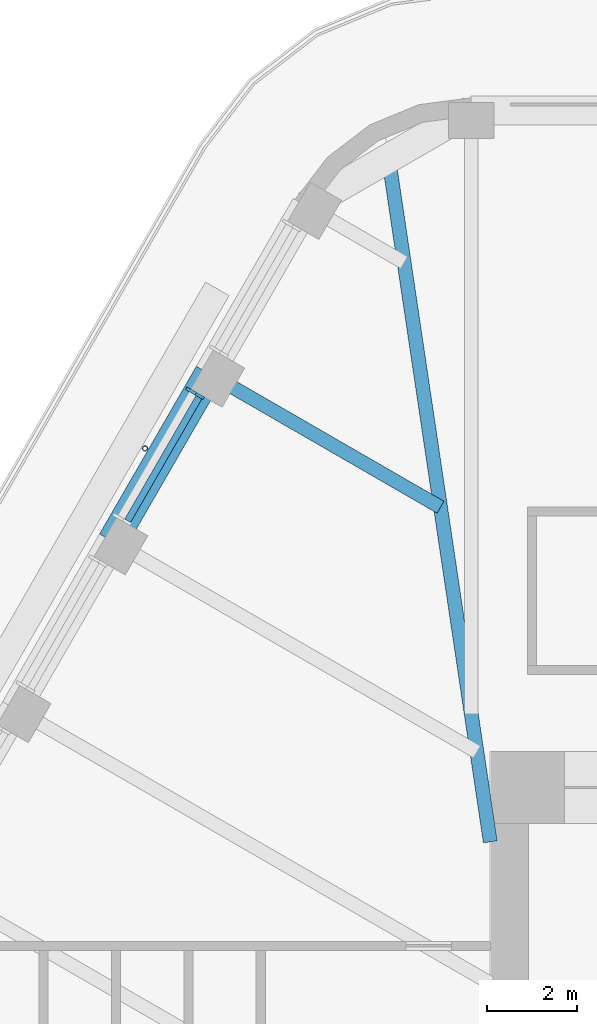
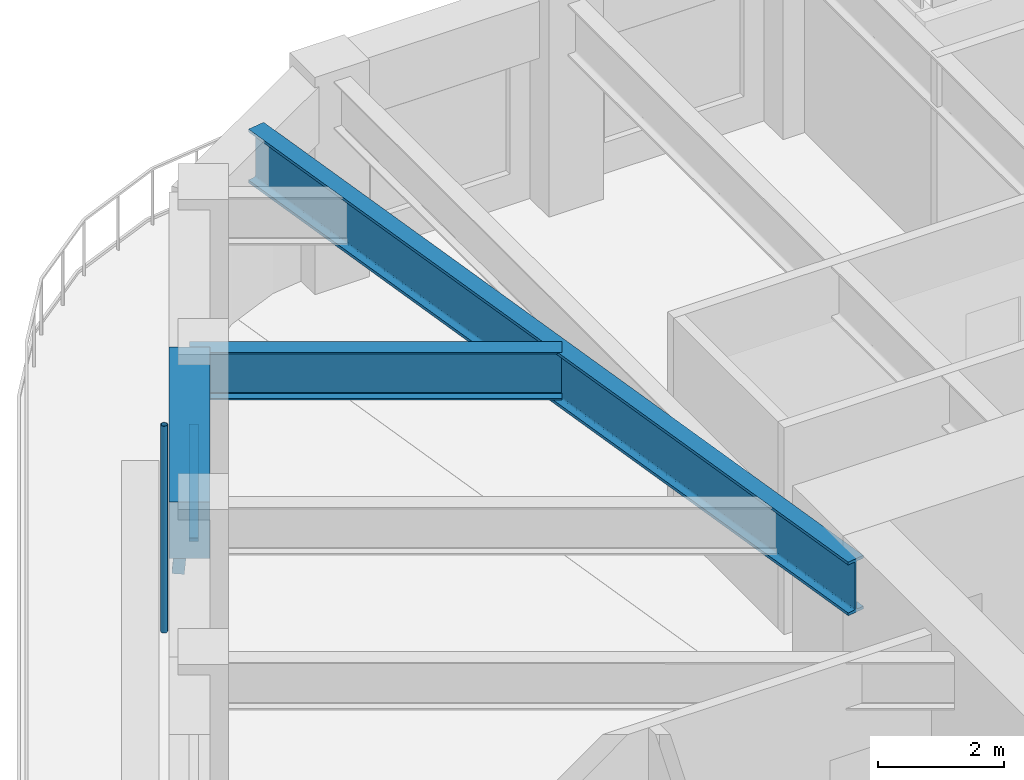
# One storey, part 8 of 19: 3 beams, 3 members, 1 element without a shape of its own.
"""IFC4 building model written with IfcOpenShell, lengths in metres."""

from ifc_helpers import new_model, si_unit, direction, frame, origin, origin_2d, place, context, subcontext, project, spatial, rectangle, hollow_circle, i_section, extrude, material, material_profile, profile_set, type_object, element, aggregate, save


model = new_model("IFC4")

# Units and contexts
model_context = context("Model", 3, precision=1e-05, world=origin(), true_north=direction((0.0, 1.0)))
body_context = subcontext(model_context, "Body", "Model", "MODEL_VIEW")
ifc_project = project(units=[si_unit("LENGTHUNIT", "METRE"), si_unit("AREAUNIT", "SQUARE_METRE"), si_unit("VOLUMEUNIT", "CUBIC_METRE"), si_unit("PLANEANGLEUNIT", "RADIAN"), si_unit("MASSUNIT", "GRAM", prefix="KILO")], contexts=[model_context])

# Site, building, storey
site_placement = place(None, origin())
site = spatial("IfcSite", under=ifc_project, at=site_placement, CompositionType="ELEMENT")
building_placement = place(site_placement, origin())
building = spatial("IfcBuilding", under=site, at=building_placement, Name="Tarfa Lantern Tower", CompositionType="ELEMENT")
storey_placement = place(building_placement, frame((0.0, 0.0, 349.300048828125)))
storey = spatial("IfcBuildingStorey", under=building, at=storey_placement, Name="L79", CompositionType="ELEMENT", Elevation=349.300048828125)

# Curtain wall, members
ifc_material_1 = material(Name="Aluminium framed curtain wall", Category="aluminium")
curtain_wall_type = type_object("IfcCurtainWallType", Name="CW4 CANTED GLAZING EXECUTIVE ZONE 2900", PredefinedType="USERDEFINED", material=ifc_material_1)
curtain_wall_placement = place(storey_placement, origin())
curtain_wall = element("IfcCurtainWall", 1, at=curtain_wall_placement, inside=storey, type_object=curtain_wall_type, Name="CW4 NW L79", ObjectType="CURTAIN WALL", PredefinedType="USERDEFINED")
ifc_material_2 = material(Name="Aluminium mullion", Category="aluminium")
ifc_material_profile_1 = material_profile(ifc_material_2, rectangle(XDim=0.06494140625, YDim=0.199951171875, at=origin_2d()), Name="AL MULLION 65x200")
ifc_profile_set_1 = profile_set([ifc_material_profile_1], Name="Aluminium mullion")
member_type_1 = type_object("IfcMemberType", Name="CWM1 MULLION 65x200", PredefinedType="MULLION", material=ifc_profile_set_1)
member_1_placement = place(storey_placement, frame((-19.063720703125, 20.280517578125, 0.0), z_axis=(0.074316405553, -0.042945823525, 0.996309554359), x_axis=(0.500342721131, 0.865827443207, 0.0)))
member_1 = element("IfcMember", 2, at=member_1_placement, type_object=member_type_1, Name="CW4 mullion 1", PredefinedType="MULLION", context=body_context, shape_type="SweptSolid", body=[
    extrude(rectangle(XDim=0.06494140625, YDim=0.199951171875, at=origin_2d()), origin(), (0.0, 0.0, 1.0), 2.91064453125),
])
ifc_material_3 = material(Name="Aluminium transom", Category="aluminium")
ifc_material_profile_2 = material_profile(ifc_material_3, rectangle(XDim=0.14990234375, YDim=0.06494140625, at=origin_2d()), Name="AL TRANSOM 150x65")
ifc_profile_set_2 = profile_set([ifc_material_profile_2], Name="Aluminium transom")
member_type_2 = type_object("IfcMemberType", Name="CWT1 TRANSOM 150x65", PredefinedType="USERDEFINED", material=ifc_profile_set_2)
member_2_placement = place(storey_placement, frame((-18.865966796875, 20.128662109375, 2.867431640625), z_axis=(-0.499979472441, -0.866037255052, 0.0), x_axis=(0.866037255052, -0.499979472441, 0.0)))
member_2 = element("IfcMember", 3, at=member_2_placement, type_object=member_type_2, Name="CW4 transom 1.2", ObjectType="TRANSOM", PredefinedType="USERDEFINED", context=body_context, shape_type="SweptSolid", body=[
    extrude(rectangle(XDim=0.14990234375, YDim=0.06494140625, at=origin_2d()), origin(), (0.0, 0.0, 1.0), 3.152099609375),
])
aggregate(curtain_wall, [member_1, member_2])

# Beam
ifc_material_4 = material(Name="Concrete C80/95", Category="concrete")
ifc_material_profile_3 = material_profile(ifc_material_4, rectangle(XDim=0.64990234375, YDim=1.10009765625, at=origin_2d()), Name="RC 650x1100")
ifc_profile_set_3 = profile_set([ifc_material_profile_3], Name="Concrete C80/95")
beam_type_1 = type_object("IfcBeamType", Name="EB4 RC 650x1100", PredefinedType="SPANDREL", material=ifc_profile_set_3)
beam_1_placement = place(storey_placement, frame((-18.6416015625, 20.651611328125, 3.449951171875), z_axis=(-0.500026801138, -0.866009929587, 0.0), x_axis=(0.866009929587, -0.500026801138, 0.0)))
element("IfcBeam", 4, at=beam_1_placement, inside=storey, type_object=beam_type_1, Name="Edge beam NW1", PredefinedType="SPANDREL", context=body_context, shape_type="SweptSolid", body=[
    extrude(rectangle(XDim=0.64990234375, YDim=1.10009765625, at=origin_2d()), origin(), (0.0, 0.0, 1.0), 4.281982421875),
])

# Member
ifc_material_5 = material(Name="Steel S355", Category="steel")
ifc_material_profile_4 = material_profile(ifc_material_5, hollow_circle(Radius=0.05712890625, WallThickness=0.00634765625, at=origin_2d()), Name="CHS114.3x6.3")
ifc_profile_set_4 = profile_set([ifc_material_profile_4], Name="Steel S355")
member_type_3 = type_object("IfcMemberType", Name="TR1 GREEN WALL TRELLIS CHS114.3x6.3", PredefinedType="USERDEFINED", material=ifc_profile_set_4)
member_3_placement = place(storey_placement, frame((-20.05859375, 18.99755859375, 0.0), z_axis=(0.0, 0.0, 1.0), x_axis=(1.0, 0.0, 0.0)))
element("IfcMember", 5, at=member_3_placement, inside=storey, type_object=member_type_3, Name="Trellis post NW 1", ObjectType="TRELLIS", PredefinedType="USERDEFINED", context=body_context, shape_type="SweptSolid", body=[
    extrude(hollow_circle(Radius=0.05712890625, WallThickness=0.00634765625, at=origin_2d()), origin(), (0.0, 0.0, 1.0), 4.0),
])

# Beams
ifc_material_6 = material(Name="Steel S460M", Category="steel")
ifc_material_profile_5 = material_profile(ifc_material_6, i_section(OverallWidth=0.30859375, OverallDepth=1.036376953125, WebThickness=0.030029296875, FlangeThickness=0.05419921875, FilletRadius=0.030029296875, at=origin_2d()), Name="UB1016x305x487")
ifc_profile_set_5 = profile_set([ifc_material_profile_5], Name="Steel S460M")
beam_type_2 = type_object("IfcBeamType", Name="UB1016x305x487", PredefinedType="BEAM", material=ifc_profile_set_5)
beam_2_placement = place(storey_placement, frame((-12.425048828125, 10.300048828125, 3.481689453125), z_axis=(-0.147127069073, 0.989117599452, 0.0), x_axis=(-0.989117599452, -0.147127069073, 0.0)))
element("IfcBeam", 6, at=beam_2_placement, inside=storey, type_object=beam_type_2, Name="Hip girder NW", PredefinedType="BEAM", context=body_context, shape_type="SweptSolid", body=[
    extrude(i_section(OverallWidth=0.30859375, OverallDepth=1.036376953125, WebThickness=0.030029296875, FlangeThickness=0.05419921875, FilletRadius=0.030029296875, at=origin_2d()), origin(), (0.0, 0.0, 1.0), 15.28125),
])
ifc_material_profile_6 = material_profile(ifc_material_6, i_section(OverallWidth=0.305419921875, OverallDepth=0.91845703125, WebThickness=0.017333984375, FlangeThickness=0.02783203125, FilletRadius=0.01904296875, at=origin_2d()), Name="UB914x305x253")
ifc_profile_set_6 = profile_set([ifc_material_profile_6], Name="Steel S460M")
beam_type_3 = type_object("IfcBeamType", Name="UB914x305x253", PredefinedType="BEAM", material=ifc_profile_set_6)
beam_3_placement = place(storey_placement, frame((-18.6416015625, 20.651611328125, 3.540771484375), z_axis=(0.866024549157, -0.500001480256, 0.0), x_axis=(0.500001480256, 0.866024549157, 0.0)))
element("IfcBeam", 7, at=beam_3_placement, inside=storey, type_object=beam_type_3, Name="Floor beam NW1", PredefinedType="BEAM", context=body_context, shape_type="SweptSolid", body=[
    extrude(i_section(OverallWidth=0.305419921875, OverallDepth=0.91845703125, WebThickness=0.017333984375, FlangeThickness=0.02783203125, FilletRadius=0.01904296875, at=origin_2d()), origin(), (0.0, 0.0, 1.0), 5.90771484375),
])

save(model, "model.ifc")
